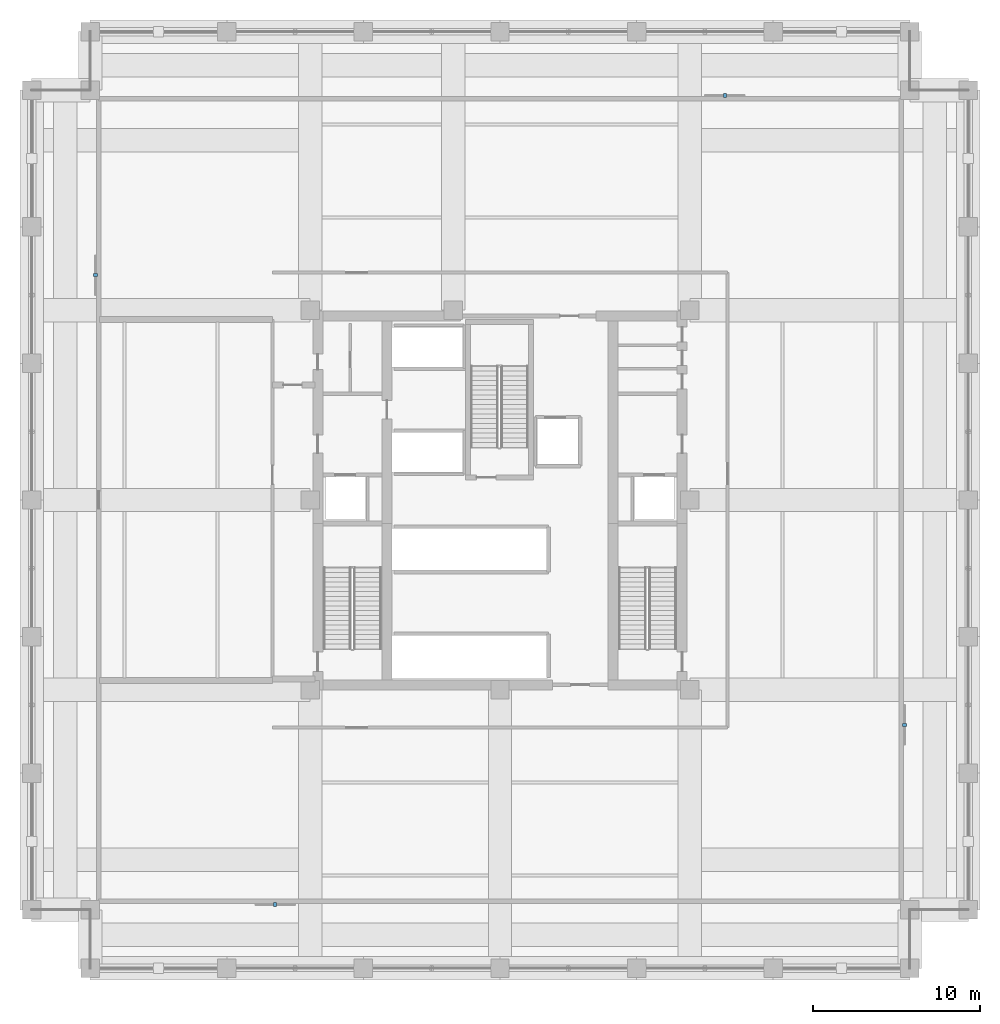
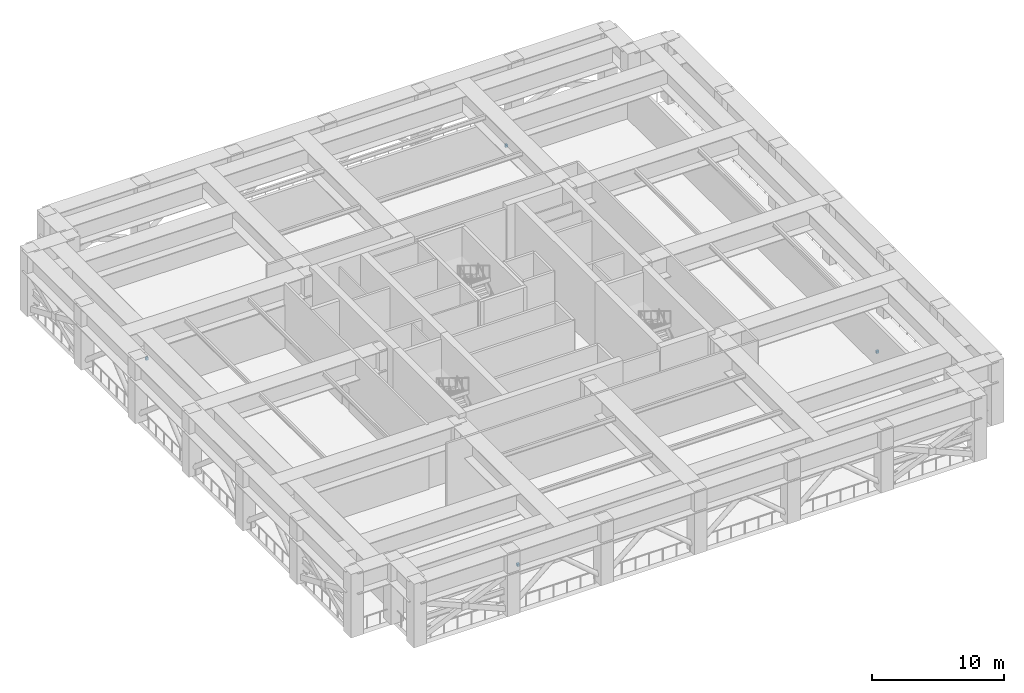
# One storey, part 6 of 12: 4 discrete accessories.
"""IFC4 building model written with IfcOpenShell, lengths in metres."""

import ifcopenshell
import ifcopenshell.guid

model = None  # the IFC model being written
_history = None  # IfcOwnerHistory: only IFC2X3 demands one
_inside = {}  # id of a spatial element -> (the spatial element, [elements in it])
_under = {}  # id of a project, library or spatial element -> (it, [spatial elements below it])
_declared = {}  # id of a project -> (the project, [libraries it declares])
_typed = {}  # id of a type object -> (the type object, [elements of that type])
_made_of = {}  # id of a material, layer set ... -> (it, [elements and type objects made of it])


def new_model(schema):
    """Start an empty IFC model of exactly this schema.

    Asked for "IFC4X3", IfcOpenShell would pick the latest addendum, in which some entities
    have other attributes; the version numbers below select the first issue.
    IFC2X3 requires an IfcOwnerHistory on every rooted entity: one is made here for all.
    """
    global model, _history
    if schema == "IFC4X3":
        model = ifcopenshell.file(schema_version=(4, 3, 0, 0))
    else:
        model = ifcopenshell.file(schema=schema)
    _inside.clear()
    _under.clear()
    _declared.clear()
    _typed.clear()
    _made_of.clear()
    _history = None
    if model.schema == "IFC2X3":
        org = make("IfcOrganization", Name="unknown")
        user = make(
            "IfcPersonAndOrganization",
            ThePerson=make("IfcPerson", FamilyName="unknown"),
            TheOrganization=org,
        )
        app = make(
            "IfcApplication",
            ApplicationDeveloper=org,
            Version="unknown",
            ApplicationFullName="unknown",
            ApplicationIdentifier="unknown",
        )
        _history = make(
            "IfcOwnerHistory",
            OwningUser=user,
            OwningApplication=app,
            ChangeAction="ADDED",
            CreationDate=0,
        )
    return model


def make(cls, **values):
    """One entity of the class cls with the attributes given. An attribute that is None is left unset."""
    return model.create_entity(
        cls, **{name: value for name, value in values.items() if value is not None}
    )


def rooted(cls, **values):
    """An entity with a GlobalId (a new one), such as an element, a storey or a relation."""
    return make(cls, GlobalId=ifcopenshell.guid.new(), OwnerHistory=_history, **values)


def si_unit(unit_type, name, prefix=None):
    """IfcSIUnit, for example si_unit("LENGTHUNIT", "METRE", prefix="MILLI")."""
    return make("IfcSIUnit", UnitType=unit_type, Prefix=prefix, Name=name)


def assignment(units):
    """IfcUnitAssignment: the units of a project."""
    return None if units is None else make("IfcUnitAssignment", Units=units)


def point(xyz):
    """IfcCartesianPoint."""
    return None if xyz is None else make("IfcCartesianPoint", Coordinates=xyz)


def direction(xyz):
    """IfcDirection."""
    return None if xyz is None else make("IfcDirection", DirectionRatios=xyz)


def frame(location, z_axis=None, x_axis=None):
    """IfcAxis2Placement3D, a coordinate frame: its origin and axes. An axis left out is left unset."""
    return make(
        "IfcAxis2Placement3D",
        Location=point(location),
        Axis=direction(z_axis),
        RefDirection=direction(x_axis),
    )


def frame_2d(location, x_axis=None):
    """IfcAxis2Placement2D, a coordinate frame in the plane: its origin and x axis."""
    return make(
        "IfcAxis2Placement2D", Location=point(location), RefDirection=direction(x_axis)
    )


def origin():
    """The frame at (0, 0, 0) with its axes left unset."""
    return frame((0.0, 0.0, 0.0))


def origin_2d():
    """The frame at (0, 0) in the plane with its x axis left unset."""
    return frame_2d((0.0, 0.0))


def place(relative_to, where):
    """IfcLocalPlacement: puts the frame where relative to a parent placement (None: the world)."""
    return make(
        "IfcLocalPlacement", PlacementRelTo=relative_to, RelativePlacement=where
    )


def context(
    kind, dimensions, precision=None, world=None, true_north=None, identifier=None
):
    """IfcGeometricRepresentationContext, for example the 3D "Model" context."""
    return make(
        "IfcGeometricRepresentationContext",
        ContextIdentifier=identifier,
        ContextType=kind,
        CoordinateSpaceDimension=dimensions,
        Precision=precision,
        WorldCoordinateSystem=world,
        TrueNorth=true_north,
    )


def subcontext(parent, identifier, kind, view, scale=None):
    """IfcGeometricRepresentationSubContext, for example "Body" below "Model"."""
    return make(
        "IfcGeometricRepresentationSubContext",
        ContextIdentifier=identifier,
        ContextType=kind,
        ParentContext=parent,
        TargetScale=scale,
        TargetView=view,
    )


def project(units=None, contexts=None):
    """IfcProject with its units and contexts."""
    return rooted(
        "IfcProject",
        Name="project",
        RepresentationContexts=contexts,
        UnitsInContext=assignment(units),
    )


def spatial(cls, under=None, at=None, **own):
    """A site, building, storey or space (cls), placed at a placement, below another one or the project."""
    s = rooted(cls, ObjectPlacement=at, **own)
    if under is not None:
        _under.setdefault(under.id(), (under, []))[1].append(s)
    return s


def profile(cls, at=None, kind="AREA", **sizes):
    """A parametric profile (cls). Its sizes go by their IFC names, for example OverallWidth=200.0."""
    return make(cls, ProfileType=kind, Position=at, **sizes)


def rectangle(**sizes):
    """IfcRectangleProfileDef."""
    return profile("IfcRectangleProfileDef", **sizes)


def extrude(swept, where, along, depth):
    """IfcExtrudedAreaSolid: the profile swept, set in the frame where, extruded along a direction by depth."""
    return make(
        "IfcExtrudedAreaSolid",
        SweptArea=swept,
        Position=where,
        ExtrudedDirection=direction(along),
        Depth=depth,
    )


def shape(context_of_items, identifier, shape_type, items):
    """IfcShapeRepresentation: the items that make up one representation, for example the "Body"."""
    return make(
        "IfcShapeRepresentation",
        ContextOfItems=context_of_items,
        RepresentationIdentifier=identifier,
        RepresentationType=shape_type,
        Items=items,
    )


def material(Name=None, Category=None):
    """IfcMaterial."""
    return make("IfcMaterial", Name=Name, Category=Category)


def made_of(thing, what):
    """Note that an element or type object is made of a material, layer set ...; save() writes the relation."""
    if what is not None:
        _made_of.setdefault(what.id(), (what, []))[1].append(thing)
    return thing


def type_object(cls, material=None, **own):
    """A type object (cls), such as IfcWallType, which elements share."""
    return made_of(rooted(cls, **own), material)


def element(
    cls,
    number,
    at=None,
    inside=None,
    cuts=None,
    type_object=None,
    material=None,
    context=None,
    identifier="Body",
    shape_type=None,
    held_by="IfcProductDefinitionShape",
    body=None,
    shapes=None,
    **own,
):
    """One element of the class cls, such as IfcWall. Its Tag is "e" and its number.

    at: its placement. inside: the storey or other place that contains it. cuts: it is an
    opening in that element (IfcRelVoidsElement). A single representation is given by context,
    identifier, shape_type and body (its items); several are given by shapes. held_by: the class
    of the entity that holds the representations. save() writes the other relations.
    """
    e = rooted(cls, Tag="e%d" % number, ObjectPlacement=at, **own)
    if body is not None:
        shapes = [shape(context, identifier, shape_type, body)]
    if shapes is not None:
        e.Representation = make(held_by, Representations=shapes)
    if inside is not None:
        _inside.setdefault(inside.id(), (inside, []))[1].append(e)
    if cuts is not None:
        rooted(
            "IfcRelVoidsElement", RelatingBuildingElement=cuts, RelatedOpeningElement=e
        )
    if type_object is not None:
        _typed.setdefault(type_object.id(), (type_object, []))[1].append(e)
    return made_of(e, material)


def aggregate(whole, parts):
    """IfcRelAggregates: a whole, such as a stair, and the parts it consists of."""
    return rooted("IfcRelAggregates", RelatingObject=whole, RelatedObjects=parts)


def save(model, path):
    """Write the relations noted so far, then the file.

    IfcRelAggregates (storeys below a building ...), IfcRelContainedInSpatialStructure (elements
    in a storey), IfcRelDefinesByType, IfcRelAssociatesMaterial and IfcRelDeclares: one each for
    every whole, place, type object, material and project.
    """
    for whole, parts in _under.values():
        aggregate(whole, parts)
    for where, things in _inside.values():
        rooted(
            "IfcRelContainedInSpatialStructure",
            RelatedElements=things,
            RelatingStructure=where,
        )
    for kind, things in _typed.values():
        rooted("IfcRelDefinesByType", RelatedObjects=things, RelatingType=kind)
    for what, things in _made_of.values():
        rooted("IfcRelAssociatesMaterial", RelatedObjects=things, RelatingMaterial=what)
    for by, libraries in _declared.values():
        rooted("IfcRelDeclares", RelatingContext=by, RelatedDefinitions=libraries)
    model.write(path)


model = new_model("IFC4")

# Units and contexts
model_context = context("Model", 3, precision=1e-05, world=origin(), true_north=direction((0.0, 1.0)))
body_context = subcontext(model_context, "Body", "Model", "MODEL_VIEW")
ifc_project = project(units=[si_unit("LENGTHUNIT", "METRE"), si_unit("AREAUNIT", "SQUARE_METRE"), si_unit("VOLUMEUNIT", "CUBIC_METRE"), si_unit("PLANEANGLEUNIT", "RADIAN"), si_unit("MASSUNIT", "GRAM", prefix="KILO")], contexts=[model_context])

# Site, building, storey
site_placement = place(None, origin())
site = spatial("IfcSite", under=ifc_project, at=site_placement, CompositionType="ELEMENT")
building_placement = place(site_placement, origin())
building = spatial("IfcBuilding", under=site, at=building_placement, Name="Nhamokura Convention Tower", CompositionType="ELEMENT")
storey_placement = place(building_placement, frame((0.0, 0.0, 99.75)))
storey = spatial("IfcBuildingStorey", under=building, at=storey_placement, Name="L24", CompositionType="ELEMENT", Elevation=99.75)

# Discrete accessories
ifc_material = material(Name="Steel ASTM A572 Gr 50", Category="steel")
discrete_accessory_type = type_object("IfcDiscreteAccessoryType", Name="FacadeOutstandBracket", PredefinedType="BRACKET", material=ifc_material)
for number, where, z_axis, x_axis, name in (
    (1, (18.56005859375, 7.8173828125, 0.8798828125), (0.0, 0.0, 1.0), (-1.0, 0.0, 0.0), "L24 Louvre Support Bracket S"),
    (2, (56.1826171875, 18.56005859375, 0.8798828125), (0.0, 0.0, 1.0), (0.0, -1.0, 0.0), "L24 Louvre Support Bracket E"),
    (3, (45.43994140625, 56.1826171875, 0.8798828125), (0.0, 0.0, 1.0), (1.0, 0.0, 0.0), "L24 Louvre Support Bracket N"),
    (4, (7.8173828125, 45.43994140625, 0.8798828125), (0.0, 0.0, 1.0), (0.0, 1.0, 0.0), "L24 Louvre Support Bracket W"),
):
    element("IfcDiscreteAccessory", number, at=place(storey_placement, frame(where, z_axis=z_axis, x_axis=x_axis)), inside=storey, type_object=discrete_accessory_type, Name=name, PredefinedType="BRACKET", context=body_context, shape_type="SweptSolid", body=[
        extrude(rectangle(XDim=0.179931640625, YDim=0.219970703125, at=origin_2d()), origin(), (0.0, 0.0, 1.0), 0.239990234375),
    ])

save(model, "model.ifc")
